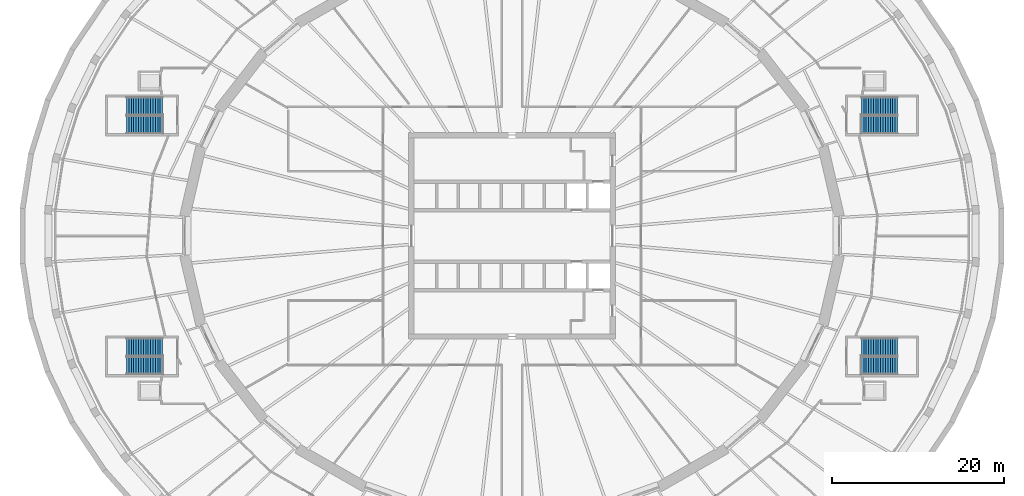
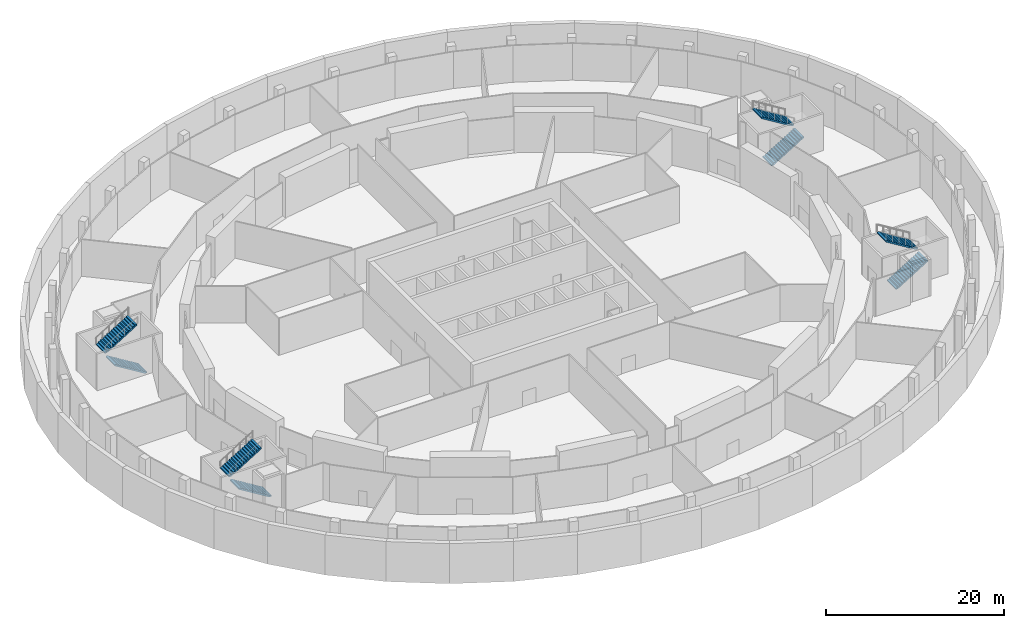
# One storey, part 12 of 14: 8 stair flights, 4 elements without a shape of their own.
"""IFC4 building model written with IfcOpenShell, lengths in metres."""

from ifc_helpers import new_model, si_unit, direction, frame, origin, place, context, subcontext, project, spatial, polyline, outline, extrude, material, type_object, element, aggregate, save


model = new_model("IFC4")

# Units and contexts
model_context = context("Model", 3, precision=1e-05, world=origin(), true_north=direction((0.0, 1.0)))
body_context = subcontext(model_context, "Body", "Model", "MODEL_VIEW")
ifc_project = project(units=[si_unit("LENGTHUNIT", "METRE"), si_unit("AREAUNIT", "SQUARE_METRE"), si_unit("VOLUMEUNIT", "CUBIC_METRE"), si_unit("PLANEANGLEUNIT", "RADIAN"), si_unit("MASSUNIT", "GRAM", prefix="KILO")], contexts=[model_context])

# Site, building, storey
site_placement = place(None, origin())
site = spatial("IfcSite", under=ifc_project, at=site_placement, CompositionType="ELEMENT")
building_placement = place(site_placement, origin())
building = spatial("IfcBuilding", under=site, at=building_placement, Name="Halqa Exchange Tower", CompositionType="ELEMENT")
storey_placement = place(building_placement, frame((0.0, 0.0, -9.5)))
storey = spatial("IfcBuildingStorey", under=building, at=storey_placement, Name="B2", CompositionType="ELEMENT", Elevation=-9.5)

# Stair, stair flights
ifc_material = material(Name="Concrete C30/37", Category="concrete")
stair_type = type_object("IfcStairType", Name="Exit stair 2000 wide", PredefinedType="HALF_TURN_STAIR", material=ifc_material)
stair_1_placement = place(storey_placement, origin())
stair_1 = element("IfcStair", 1, at=stair_1_placement, inside=storey, type_object=stair_type, Name="Exit stair SS1", PredefinedType="HALF_TURN_STAIR")
stair_flight_type = type_object("IfcStairFlightType", Name="Stair flight 2000 wide", PredefinedType="STRAIGHT", material=ifc_material)
stair_flight_1_placement = place(storey_placement, frame((40.60009765625, 12.875, 0.0), z_axis=(0.0, 0.0, 1.0), x_axis=(1.0, 0.0, 0.0)))
stair_flight_1 = element("IfcStairFlight", 2, at=stair_flight_1_placement, type_object=stair_flight_type, Name="SS1 flight 1", NumberOfRisers=16, NumberOfTreads=15, PredefinedType="STRAIGHT", RiserHeight=0.171875, TreadLength=0.28, context=body_context, shape_type="SweptSolid", body=[
    extrude(outline(polyline([(0.0, 0.0), (0.0, 0.171875), (0.280029296875, 0.171875), (0.280029296875, 0.34375), (0.56005859375, 0.34375), (0.56005859375, 0.515625), (0.840087890625, 0.515625), (0.840087890625, 0.6875), (1.1201171875, 0.6875), (1.1201171875, 0.859375), (1.39990234375, 0.859375), (1.39990234375, 1.03125), (1.679931640625, 1.03125), (1.679931640625, 1.203125), (1.9599609375, 1.203125), (1.9599609375, 1.375), (2.239990234375, 1.375), (2.239990234375, 1.546875), (2.52001953125, 1.546875), (2.52001953125, 1.71875), (2.800048828125, 1.71875), (2.800048828125, 1.890625), (3.080078125, 1.890625), (3.080078125, 2.0625), (3.360107421875, 2.0625), (3.360107421875, 2.234375), (3.639892578125, 2.234375), (3.639892578125, 2.40625), (3.919921875, 2.40625), (3.919921875, 2.578125), (4.199951171875, 2.578125), (4.199951171875, 2.75), (4.199951171875, 2.40234375), (0.28662109375, 0.0), (0.0, 0.0)])), frame((0.0, 1.0, 0.0), z_axis=(0.0, -1.0, 0.0), x_axis=(1.0, 0.0, 0.0)), (0.0, 0.0, 1.0), 2.0),
])
stair_flight_2_placement = place(storey_placement, frame((44.800048828125, 15.125, 2.75), z_axis=(0.0, 0.0, 1.0), x_axis=(-1.0, 0.0, 0.0)))
stair_flight_2 = element("IfcStairFlight", 3, at=stair_flight_2_placement, type_object=stair_flight_type, Name="SS1 flight 2", NumberOfRisers=16, NumberOfTreads=15, PredefinedType="STRAIGHT", RiserHeight=0.171875, TreadLength=0.28, context=body_context, shape_type="SweptSolid", body=[
    extrude(outline(polyline([(0.0, 0.0), (0.0, 0.171875), (0.280029296875, 0.171875), (0.280029296875, 0.34375), (0.56005859375, 0.34375), (0.56005859375, 0.515625), (0.840087890625, 0.515625), (0.840087890625, 0.6875), (1.1201171875, 0.6875), (1.1201171875, 0.859375), (1.39990234375, 0.859375), (1.39990234375, 1.03125), (1.679931640625, 1.03125), (1.679931640625, 1.203125), (1.9599609375, 1.203125), (1.9599609375, 1.375), (2.239990234375, 1.375), (2.239990234375, 1.546875), (2.52001953125, 1.546875), (2.52001953125, 1.71875), (2.800048828125, 1.71875), (2.800048828125, 1.890625), (3.080078125, 1.890625), (3.080078125, 2.0625), (3.360107421875, 2.0625), (3.360107421875, 2.234375), (3.639892578125, 2.234375), (3.639892578125, 2.40625), (3.919921875, 2.40625), (3.919921875, 2.578125), (4.199951171875, 2.578125), (4.199951171875, 2.75), (4.199951171875, 2.40234375), (0.28662109375, 0.0), (0.0, 0.0)])), frame((0.0, 1.0, 0.0), z_axis=(0.0, -1.0, 0.0), x_axis=(1.0, 0.0, 0.0)), (0.0, 0.0, 1.0), 2.0),
])
aggregate(stair_1, [stair_flight_1, stair_flight_2])

stair_2_placement = place(storey_placement, origin())
stair_2 = element("IfcStair", 4, at=stair_2_placement, inside=storey, type_object=stair_type, Name="Exit stair SS2", PredefinedType="HALF_TURN_STAIR")
stair_flight_3_placement = place(storey_placement, frame((40.60009765625, -15.125, 0.0), z_axis=(0.0, 0.0, 1.0), x_axis=(1.0, 0.0, 0.0)))
stair_flight_3 = element("IfcStairFlight", 5, at=stair_flight_3_placement, type_object=stair_flight_type, Name="SS2 flight 1", NumberOfRisers=16, NumberOfTreads=15, PredefinedType="STRAIGHT", RiserHeight=0.171875, TreadLength=0.28, context=body_context, shape_type="SweptSolid", body=[
    extrude(outline(polyline([(0.0, 0.0), (0.0, 0.171875), (0.280029296875, 0.171875), (0.280029296875, 0.34375), (0.56005859375, 0.34375), (0.56005859375, 0.515625), (0.840087890625, 0.515625), (0.840087890625, 0.6875), (1.1201171875, 0.6875), (1.1201171875, 0.859375), (1.39990234375, 0.859375), (1.39990234375, 1.03125), (1.679931640625, 1.03125), (1.679931640625, 1.203125), (1.9599609375, 1.203125), (1.9599609375, 1.375), (2.239990234375, 1.375), (2.239990234375, 1.546875), (2.52001953125, 1.546875), (2.52001953125, 1.71875), (2.800048828125, 1.71875), (2.800048828125, 1.890625), (3.080078125, 1.890625), (3.080078125, 2.0625), (3.360107421875, 2.0625), (3.360107421875, 2.234375), (3.639892578125, 2.234375), (3.639892578125, 2.40625), (3.919921875, 2.40625), (3.919921875, 2.578125), (4.199951171875, 2.578125), (4.199951171875, 2.75), (4.199951171875, 2.40234375), (0.28662109375, 0.0), (0.0, 0.0)])), frame((0.0, 1.0, 0.0), z_axis=(0.0, -1.0, 0.0), x_axis=(1.0, 0.0, 0.0)), (0.0, 0.0, 1.0), 2.0),
])
stair_flight_4_placement = place(storey_placement, frame((44.800048828125, -12.875, 2.75), z_axis=(0.0, 0.0, 1.0), x_axis=(-1.0, 0.0, 0.0)))
stair_flight_4 = element("IfcStairFlight", 6, at=stair_flight_4_placement, type_object=stair_flight_type, Name="SS2 flight 2", NumberOfRisers=16, NumberOfTreads=15, PredefinedType="STRAIGHT", RiserHeight=0.171875, TreadLength=0.28, context=body_context, shape_type="SweptSolid", body=[
    extrude(outline(polyline([(0.0, 0.0), (0.0, 0.171875), (0.280029296875, 0.171875), (0.280029296875, 0.34375), (0.56005859375, 0.34375), (0.56005859375, 0.515625), (0.840087890625, 0.515625), (0.840087890625, 0.6875), (1.1201171875, 0.6875), (1.1201171875, 0.859375), (1.39990234375, 0.859375), (1.39990234375, 1.03125), (1.679931640625, 1.03125), (1.679931640625, 1.203125), (1.9599609375, 1.203125), (1.9599609375, 1.375), (2.239990234375, 1.375), (2.239990234375, 1.546875), (2.52001953125, 1.546875), (2.52001953125, 1.71875), (2.800048828125, 1.71875), (2.800048828125, 1.890625), (3.080078125, 1.890625), (3.080078125, 2.0625), (3.360107421875, 2.0625), (3.360107421875, 2.234375), (3.639892578125, 2.234375), (3.639892578125, 2.40625), (3.919921875, 2.40625), (3.919921875, 2.578125), (4.199951171875, 2.578125), (4.199951171875, 2.75), (4.199951171875, 2.40234375), (0.28662109375, 0.0), (0.0, 0.0)])), frame((0.0, 1.0, 0.0), z_axis=(0.0, -1.0, 0.0), x_axis=(1.0, 0.0, 0.0)), (0.0, 0.0, 1.0), 2.0),
])
aggregate(stair_2, [stair_flight_3, stair_flight_4])

stair_3_placement = place(storey_placement, origin())
stair_3 = element("IfcStair", 7, at=stair_3_placement, inside=storey, type_object=stair_type, Name="Exit stair SS3", PredefinedType="HALF_TURN_STAIR")
stair_flight_5_placement = place(storey_placement, frame((-40.60009765625, 12.875, 0.0), z_axis=(0.0, 0.0, 1.0), x_axis=(-1.0, 0.0, 0.0)))
stair_flight_5 = element("IfcStairFlight", 8, at=stair_flight_5_placement, type_object=stair_flight_type, Name="SS3 flight 1", NumberOfRisers=16, NumberOfTreads=15, PredefinedType="STRAIGHT", RiserHeight=0.171875, TreadLength=0.28, context=body_context, shape_type="SweptSolid", body=[
    extrude(outline(polyline([(0.0, 0.0), (0.0, 0.171875), (0.280029296875, 0.171875), (0.280029296875, 0.34375), (0.56005859375, 0.34375), (0.56005859375, 0.515625), (0.840087890625, 0.515625), (0.840087890625, 0.6875), (1.1201171875, 0.6875), (1.1201171875, 0.859375), (1.39990234375, 0.859375), (1.39990234375, 1.03125), (1.679931640625, 1.03125), (1.679931640625, 1.203125), (1.9599609375, 1.203125), (1.9599609375, 1.375), (2.239990234375, 1.375), (2.239990234375, 1.546875), (2.52001953125, 1.546875), (2.52001953125, 1.71875), (2.800048828125, 1.71875), (2.800048828125, 1.890625), (3.080078125, 1.890625), (3.080078125, 2.0625), (3.360107421875, 2.0625), (3.360107421875, 2.234375), (3.639892578125, 2.234375), (3.639892578125, 2.40625), (3.919921875, 2.40625), (3.919921875, 2.578125), (4.199951171875, 2.578125), (4.199951171875, 2.75), (4.199951171875, 2.40234375), (0.28662109375, 0.0), (0.0, 0.0)])), frame((0.0, 1.0, 0.0), z_axis=(0.0, -1.0, 0.0), x_axis=(1.0, 0.0, 0.0)), (0.0, 0.0, 1.0), 2.0),
])
stair_flight_6_placement = place(storey_placement, frame((-44.800048828125, 15.125, 2.75), z_axis=(0.0, 0.0, 1.0), x_axis=(1.0, 0.0, 0.0)))
stair_flight_6 = element("IfcStairFlight", 9, at=stair_flight_6_placement, type_object=stair_flight_type, Name="SS3 flight 2", NumberOfRisers=16, NumberOfTreads=15, PredefinedType="STRAIGHT", RiserHeight=0.171875, TreadLength=0.28, context=body_context, shape_type="SweptSolid", body=[
    extrude(outline(polyline([(0.0, 0.0), (0.0, 0.171875), (0.280029296875, 0.171875), (0.280029296875, 0.34375), (0.56005859375, 0.34375), (0.56005859375, 0.515625), (0.840087890625, 0.515625), (0.840087890625, 0.6875), (1.1201171875, 0.6875), (1.1201171875, 0.859375), (1.39990234375, 0.859375), (1.39990234375, 1.03125), (1.679931640625, 1.03125), (1.679931640625, 1.203125), (1.9599609375, 1.203125), (1.9599609375, 1.375), (2.239990234375, 1.375), (2.239990234375, 1.546875), (2.52001953125, 1.546875), (2.52001953125, 1.71875), (2.800048828125, 1.71875), (2.800048828125, 1.890625), (3.080078125, 1.890625), (3.080078125, 2.0625), (3.360107421875, 2.0625), (3.360107421875, 2.234375), (3.639892578125, 2.234375), (3.639892578125, 2.40625), (3.919921875, 2.40625), (3.919921875, 2.578125), (4.199951171875, 2.578125), (4.199951171875, 2.75), (4.199951171875, 2.40234375), (0.28662109375, 0.0), (0.0, 0.0)])), frame((0.0, 1.0, 0.0), z_axis=(0.0, -1.0, 0.0), x_axis=(1.0, 0.0, 0.0)), (0.0, 0.0, 1.0), 2.0),
])
aggregate(stair_3, [stair_flight_5, stair_flight_6])

stair_4_placement = place(storey_placement, origin())
stair_4 = element("IfcStair", 10, at=stair_4_placement, inside=storey, type_object=stair_type, Name="Exit stair SS4", PredefinedType="HALF_TURN_STAIR")
stair_flight_7_placement = place(storey_placement, frame((-40.60009765625, -15.125, 0.0), z_axis=(0.0, 0.0, 1.0), x_axis=(-1.0, 0.0, 0.0)))
stair_flight_7 = element("IfcStairFlight", 11, at=stair_flight_7_placement, type_object=stair_flight_type, Name="SS4 flight 1", NumberOfRisers=16, NumberOfTreads=15, PredefinedType="STRAIGHT", RiserHeight=0.171875, TreadLength=0.28, context=body_context, shape_type="SweptSolid", body=[
    extrude(outline(polyline([(0.0, 0.0), (0.0, 0.171875), (0.280029296875, 0.171875), (0.280029296875, 0.34375), (0.56005859375, 0.34375), (0.56005859375, 0.515625), (0.840087890625, 0.515625), (0.840087890625, 0.6875), (1.1201171875, 0.6875), (1.1201171875, 0.859375), (1.39990234375, 0.859375), (1.39990234375, 1.03125), (1.679931640625, 1.03125), (1.679931640625, 1.203125), (1.9599609375, 1.203125), (1.9599609375, 1.375), (2.239990234375, 1.375), (2.239990234375, 1.546875), (2.52001953125, 1.546875), (2.52001953125, 1.71875), (2.800048828125, 1.71875), (2.800048828125, 1.890625), (3.080078125, 1.890625), (3.080078125, 2.0625), (3.360107421875, 2.0625), (3.360107421875, 2.234375), (3.639892578125, 2.234375), (3.639892578125, 2.40625), (3.919921875, 2.40625), (3.919921875, 2.578125), (4.199951171875, 2.578125), (4.199951171875, 2.75), (4.199951171875, 2.40234375), (0.28662109375, 0.0), (0.0, 0.0)])), frame((0.0, 1.0, 0.0), z_axis=(0.0, -1.0, 0.0), x_axis=(1.0, 0.0, 0.0)), (0.0, 0.0, 1.0), 2.0),
])
stair_flight_8_placement = place(storey_placement, frame((-44.800048828125, -12.875, 2.75), z_axis=(0.0, 0.0, 1.0), x_axis=(1.0, 0.0, 0.0)))
stair_flight_8 = element("IfcStairFlight", 12, at=stair_flight_8_placement, type_object=stair_flight_type, Name="SS4 flight 2", NumberOfRisers=16, NumberOfTreads=15, PredefinedType="STRAIGHT", RiserHeight=0.171875, TreadLength=0.28, context=body_context, shape_type="SweptSolid", body=[
    extrude(outline(polyline([(0.0, 0.0), (0.0, 0.171875), (0.280029296875, 0.171875), (0.280029296875, 0.34375), (0.56005859375, 0.34375), (0.56005859375, 0.515625), (0.840087890625, 0.515625), (0.840087890625, 0.6875), (1.1201171875, 0.6875), (1.1201171875, 0.859375), (1.39990234375, 0.859375), (1.39990234375, 1.03125), (1.679931640625, 1.03125), (1.679931640625, 1.203125), (1.9599609375, 1.203125), (1.9599609375, 1.375), (2.239990234375, 1.375), (2.239990234375, 1.546875), (2.52001953125, 1.546875), (2.52001953125, 1.71875), (2.800048828125, 1.71875), (2.800048828125, 1.890625), (3.080078125, 1.890625), (3.080078125, 2.0625), (3.360107421875, 2.0625), (3.360107421875, 2.234375), (3.639892578125, 2.234375), (3.639892578125, 2.40625), (3.919921875, 2.40625), (3.919921875, 2.578125), (4.199951171875, 2.578125), (4.199951171875, 2.75), (4.199951171875, 2.40234375), (0.28662109375, 0.0), (0.0, 0.0)])), frame((0.0, 1.0, 0.0), z_axis=(0.0, -1.0, 0.0), x_axis=(1.0, 0.0, 0.0)), (0.0, 0.0, 1.0), 2.0),
])
aggregate(stair_4, [stair_flight_7, stair_flight_8])

save(model, "model.ifc")
